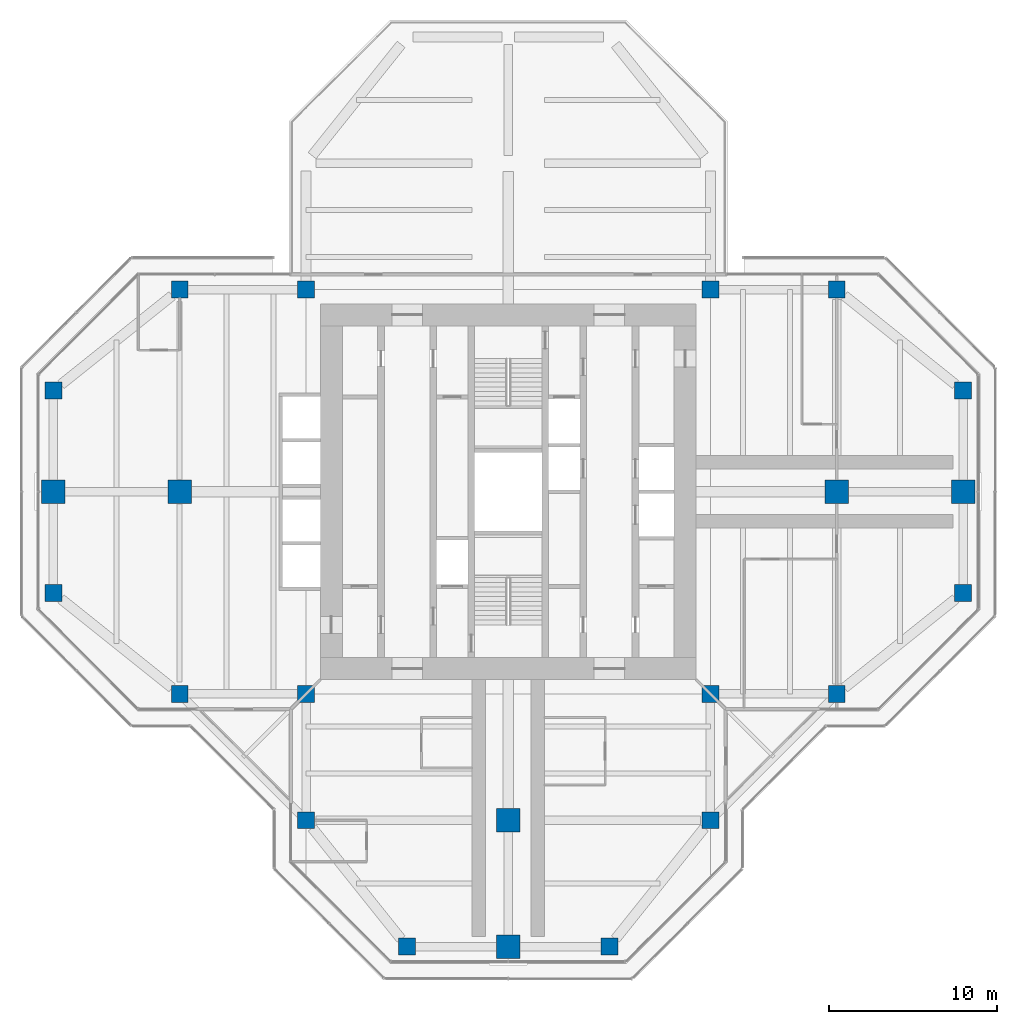
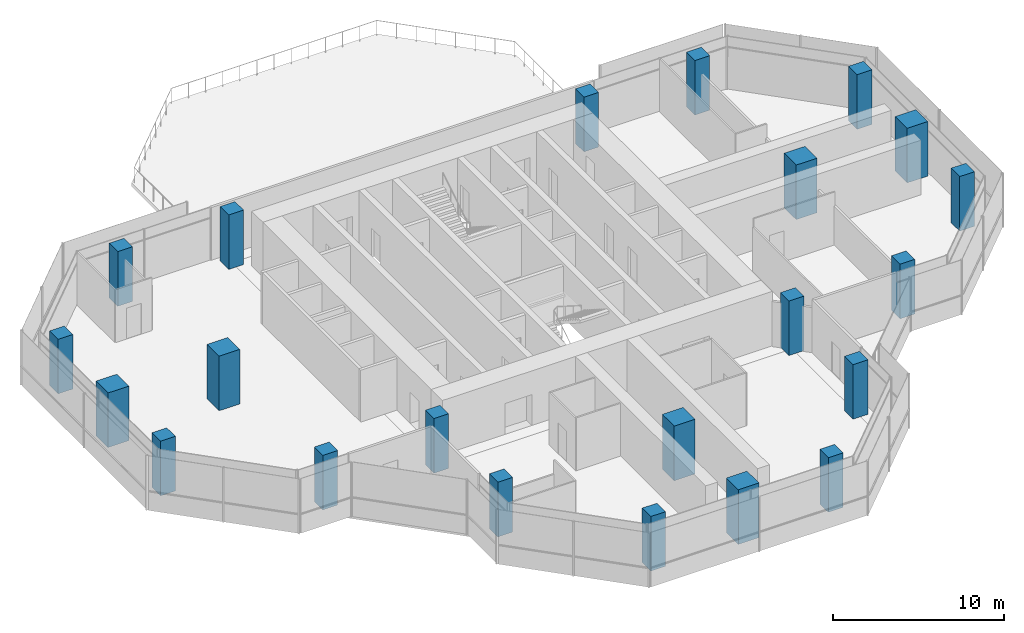
# One storey, part 1 of 15: 22 columns.
"""IFC4 building model written with IfcOpenShell, lengths in metres."""

from ifc_helpers import new_model, si_unit, direction, frame, origin, origin_2d, place, context, subcontext, project, spatial, rectangle, extrude, material, material_profile, profile_set, type_object, element, save


model = new_model("IFC4")

# Units and contexts
model_context = context("Model", 3, precision=1e-05, world=origin(), true_north=direction((0.0, 1.0)))
body_context = subcontext(model_context, "Body", "Model", "MODEL_VIEW")
ifc_project = project(units=[si_unit("LENGTHUNIT", "METRE"), si_unit("AREAUNIT", "SQUARE_METRE"), si_unit("VOLUMEUNIT", "CUBIC_METRE"), si_unit("PLANEANGLEUNIT", "RADIAN"), si_unit("MASSUNIT", "GRAM", prefix="KILO")], contexts=[model_context])

# Site, building, storey
site_placement = place(None, origin())
site = spatial("IfcSite", under=ifc_project, at=site_placement, CompositionType="ELEMENT")
building_placement = place(site_placement, origin())
building = spatial("IfcBuilding", under=site, at=building_placement, Name="Mizan Broadcast Tower", CompositionType="ELEMENT")
storey_placement = place(building_placement, frame((0.0, 0.0, 267.300048828125)))
storey = spatial("IfcBuildingStorey", under=building, at=storey_placement, Name="L63", CompositionType="ELEMENT", Elevation=267.300048828125)

# Columns
ifc_material_1 = material(Name="Concrete C70/85", Category="concrete")
ifc_material_profile_1 = material_profile(ifc_material_1, rectangle(XDim=1.0, YDim=1.0, at=origin_2d()), Name="RC 1000x1000")
ifc_profile_set_1 = profile_set([ifc_material_profile_1], Name="Concrete C70/85")
column_type_1 = type_object("IfcColumnType", Name="RC COLUMN 1000x1000 C70/85", PredefinedType="COLUMN", material=ifc_profile_set_1)
for number, where, z_axis, x_axis, name in (
    (1, (-6.0, -27.0, 0.0), (0.0, 0.0, 1.0), (1.0, 0.0, 0.0), "Column 5/B L63"),
    (2, (6.0, -27.0, 0.0), (0.0, 0.0, 1.0), (1.0, 0.0, 0.0), "Column 7/B L63"),
    (3, (-12.0, -19.5, 0.0), (0.0, 0.0, 1.0), (1.0, 0.0, 0.0), "Column 4/C L63"),
    (4, (12.0, -19.5, 0.0), (0.0, 0.0, 1.0), (1.0, 0.0, 0.0), "Column 8/C L63"),
    (5, (-19.5, -12.0, 0.0), (0.0, 0.0, 1.0), (1.0, 0.0, 0.0), "Column 3/D L63"),
    (6, (-12.0, -12.0, 0.0), (0.0, 0.0, 1.0), (1.0, 0.0, 0.0), "Column 4/D L63"),
    (7, (12.0, -12.0, 0.0), (0.0, 0.0, 1.0), (1.0, 0.0, 0.0), "Column 8/D L63"),
    (8, (19.5, -12.0, 0.0), (0.0, 0.0, 1.0), (1.0, 0.0, 0.0), "Column 9/D L63"),
    (9, (-27.0, -6.0, 0.0), (0.0, 0.0, 1.0), (1.0, 0.0, 0.0), "Column 2/E L63"),
    (10, (27.0, -6.0, 0.0), (0.0, 0.0, 1.0), (1.0, 0.0, 0.0), "Column 10/E L63"),
    (11, (-27.0, 6.0, 0.0), (0.0, 0.0, 1.0), (1.0, 0.0, 0.0), "Column 2/G L63"),
    (12, (27.0, 6.0, 0.0), (0.0, 0.0, 1.0), (1.0, 0.0, 0.0), "Column 10/G L63"),
    (13, (-19.5, 12.0, 0.0), (0.0, 0.0, 1.0), (1.0, 0.0, 0.0), "Column 3/H L63"),
    (14, (-12.0, 12.0, 0.0), (0.0, 0.0, 1.0), (1.0, 0.0, 0.0), "Column 4/H L63"),
    (15, (12.0, 12.0, 0.0), (0.0, 0.0, 1.0), (1.0, 0.0, 0.0), "Column 8/H L63"),
    (16, (19.5, 12.0, 0.0), (0.0, 0.0, 1.0), (1.0, 0.0, 0.0), "Column 9/H L63"),
):
    element("IfcColumn", number, at=place(storey_placement, frame(where, z_axis=z_axis, x_axis=x_axis)), inside=storey, type_object=column_type_1, Name=name, PredefinedType="COLUMN", context=body_context, shape_type="SweptSolid", body=[
        extrude(rectangle(XDim=1.0, YDim=1.0, at=origin_2d()), origin(), (0.0, 0.0, 1.0), 3.89990234375),
    ])
ifc_material_2 = material(Name="Concrete C70/85", Category="concrete")
ifc_material_profile_2 = material_profile(ifc_material_2, rectangle(XDim=1.39990234375, YDim=1.39990234375, at=origin_2d()), Name="RC 1400x1400")
ifc_profile_set_2 = profile_set([ifc_material_profile_2], Name="Concrete C70/85")
column_type_2 = type_object("IfcColumnType", Name="RC COLUMN 1400x1400 C70/85", PredefinedType="COLUMN", material=ifc_profile_set_2)
for number, where, z_axis, x_axis, name in (
    (17, (0.0, -27.0, 0.0), (0.0, 0.0, 1.0), (1.0, 0.0, 0.0), "Column 6/B L63"),
    (18, (0.0, -19.5, 0.0), (0.0, 0.0, 1.0), (1.0, 0.0, 0.0), "Column 6/C L63"),
    (19, (-27.0, 0.0, 0.0), (0.0, 0.0, 1.0), (1.0, 0.0, 0.0), "Column 2/F L63"),
    (20, (-19.5, 0.0, 0.0), (0.0, 0.0, 1.0), (1.0, 0.0, 0.0), "Column 3/F L63"),
    (21, (19.5, 0.0, 0.0), (0.0, 0.0, 1.0), (1.0, 0.0, 0.0), "Column 9/F L63"),
    (22, (27.0, 0.0, 0.0), (0.0, 0.0, 1.0), (1.0, 0.0, 0.0), "Column 10/F L63"),
):
    element("IfcColumn", number, at=place(storey_placement, frame(where, z_axis=z_axis, x_axis=x_axis)), inside=storey, type_object=column_type_2, Name=name, PredefinedType="COLUMN", context=body_context, shape_type="SweptSolid", body=[
        extrude(rectangle(XDim=1.39990234375, YDim=1.39990234375, at=origin_2d()), origin(), (0.0, 0.0, 1.0), 3.89990234375),
    ])

save(model, "model.ifc")
